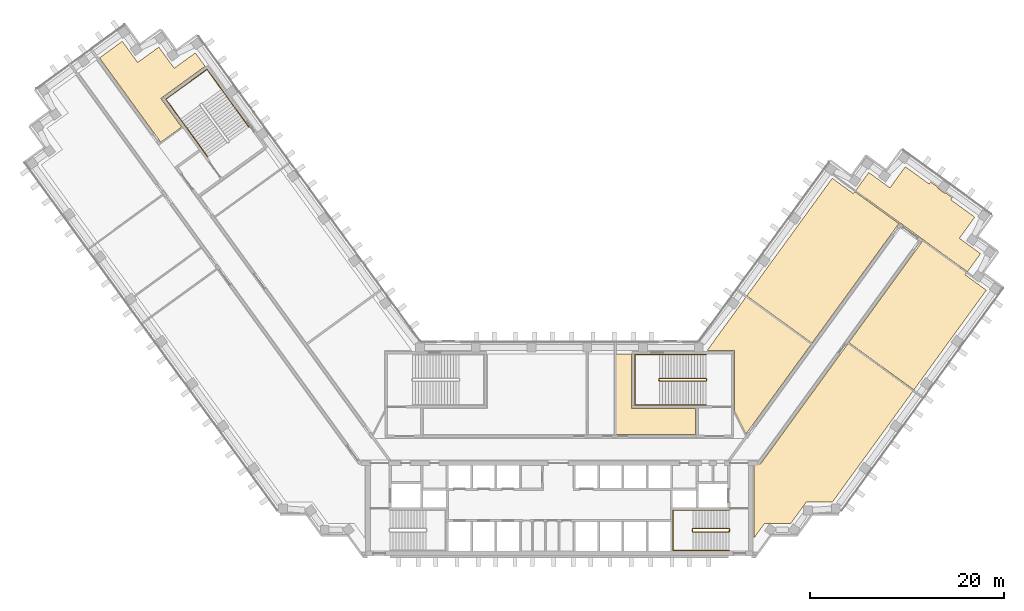
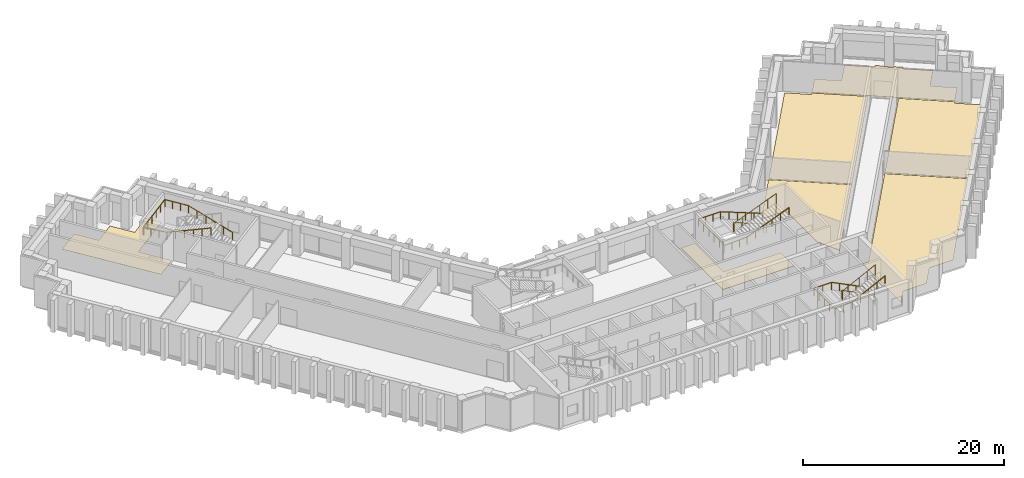
# One storey, part 12 of 12: 7 coverings, 5 railings.
"""IFC4 building model written with IfcOpenShell, lengths in metres."""

from ifc_helpers import new_model, si_unit, direction, frame, origin, origin_2d, place, context, subcontext, project, spatial, polyline, circle, outline, extrude, material, layer, layer_set, type_object, element, save


model = new_model("IFC4")

# Units and contexts
model_context = context("Model", 3, precision=1e-05, world=origin(), true_north=direction((0.0, 1.0)))
body_context = subcontext(model_context, "Body", "Model", "MODEL_VIEW")
ifc_project = project(units=[si_unit("LENGTHUNIT", "METRE"), si_unit("AREAUNIT", "SQUARE_METRE"), si_unit("VOLUMEUNIT", "CUBIC_METRE"), si_unit("PLANEANGLEUNIT", "RADIAN"), si_unit("MASSUNIT", "GRAM", prefix="KILO")], contexts=[model_context])

# Site, building, storey
site_placement = place(None, origin())
site = spatial("IfcSite", under=ifc_project, at=site_placement, CompositionType="ELEMENT")
building_placement = place(site_placement, origin())
building = spatial("IfcBuilding", under=site, at=building_placement, Name="Quipu Civic Tower", CompositionType="ELEMENT")
storey_placement = place(building_placement, frame((0.0, 0.0, 121.0)))
storey = spatial("IfcBuildingStorey", under=building, at=storey_placement, Name="L28", CompositionType="ELEMENT", Elevation=121.0)

# Coverings
ifc_material_1 = material(Name="Carpet tile on raised access floor")
ifc_layer_1 = layer(ifc_material_1, 0.02001953125)
ifc_layer_set_1 = layer_set([ifc_layer_1], Name="Carpet tile on raised access floor")
covering_type_1 = type_object("IfcCoveringType", Name="Carpet tile floor finish 20", PredefinedType="FLOORING", material=ifc_layer_set_1)
covering_1_placement = place(storey_placement, origin())
element("IfcCovering", 1, at=covering_1_placement, inside=storey, type_object=covering_type_1, Name="Carpet tile floor finish 20", PredefinedType="FLOORING", context=body_context, shape_type="SweptSolid", body=[
    extrude(outline(polyline([(-47.471923828125, 40.39794921875), (-45.116943359375, 42.10791015625), (-43.531982421875, 39.925048828125), (-41.346923828125, 41.510986328125), (-39.760009765625, 39.326904296875), (-37.574951171875, 40.9130859375), (-36.570068359375, 39.530029296875), (-41.139892578125, 36.208984375), (-38.998046875, 33.260009765625), (-41.15087890625, 31.697021484375), (-47.471923828125, 40.39794921875)])), origin(), (0.0, 0.0, 1.0), 0.02001953125),
])
covering_2_placement = place(storey_placement, origin())
element("IfcCovering", 2, at=covering_2_placement, inside=storey, type_object=covering_type_1, Name="Carpet tile floor finish 20", PredefinedType="FLOORING", context=body_context, shape_type="SweptSolid", body=[
    extrude(outline(polyline([(20.070068359375, -9.195068359375), (20.070068359375, -1.52001953125), (20.77490234375, -1.51904296875), (29.7958984375, 10.89794921875), (36.52001953125, 6.013916015625), (28.181884765625, -5.4609375), (25.48193359375, -5.4619140625), (25.2080078125, -5.840087890625), (25.205078125, -5.841064453125), (25.200927734375, -5.843017578125), (25.197021484375, -5.844970703125), (25.193115234375, -5.847900390625), (25.18896484375, -5.85205078125), (25.18603515625, -5.85498046875), (25.18310546875, -5.85888671875), (25.179931640625, -5.863037109375), (25.177978515625, -5.867919921875), (25.177001953125, -5.8720703125), (25.175048828125, -5.876953125), (25.175048828125, -5.882080078125), (25.174072265625, -5.885986328125), (23.89501953125, -7.64599609375), (21.721923828125, -7.64599609375), (21.721923828125, -7.64599609375), (21.718017578125, -7.64306640625), (21.712890625, -7.64111328125), (21.708984375, -7.638916015625), (21.7041015625, -7.637939453125), (21.698974609375, -7.636962890625), (21.694091796875, -7.635986328125), (21.68896484375, -7.636962890625), (21.68408203125, -7.636962890625), (21.679931640625, -7.637939453125), (21.675048828125, -7.639892578125), (21.669921875, -7.64111328125), (21.666015625, -7.64404296875), (21.6630859375, -7.64599609375), (21.196044921875, -7.64599609375), (20.070068359375, -9.195068359375)])), origin(), (0.0, 0.0, 1.0), 0.02001953125),
])
covering_3_placement = place(storey_placement, origin())
element("IfcCovering", 3, at=covering_3_placement, inside=storey, type_object=covering_type_1, Name="Carpet tile floor finish 20", PredefinedType="FLOORING", context=body_context, shape_type="SweptSolid", body=[
    extrude(outline(polyline([(29.87890625, 11.010986328125), (37.4990234375, 21.5), (42.0380859375, 18.201904296875), (41.89208984375, 17.9990234375), (44.074951171875, 16.4140625), (36.60302734375, 6.126953125), (29.87890625, 11.010986328125)])), origin(), (0.0, 0.0, 1.0), 0.02001953125),
])
covering_4_placement = place(storey_placement, origin())
element("IfcCovering", 4, at=covering_4_placement, inside=storey, type_object=covering_type_1, Name="Carpet tile floor finish 20", PredefinedType="FLOORING", context=body_context, shape_type="SweptSolid", body=[
    extrude(outline(polyline([(30.583984375, 26.697021484375), (31.94189453125, 28.56591796875), (34.126953125, 26.97998046875), (35.712890625, 29.1640625), (38.169921875, 27.37890625), (38.324951171875, 27.587890625), (39.044921875, 27.06396484375), (39.02197265625, 27.031982421875), (39.01904296875, 27.028076171875), (39.01708984375, 27.02294921875), (39.014892578125, 27.01904296875), (39.013916015625, 27.013916015625), (39.012939453125, 27.009033203125), (39.011962890625, 27.00390625), (39.011962890625, 27.0), (39.012939453125, 26.9951171875), (39.013916015625, 26.989990234375), (39.014892578125, 26.985107421875), (39.01708984375, 26.98095703125), (39.02001953125, 26.97607421875), (39.02197265625, 26.971923828125), (39.02490234375, 26.968994140625), (39.029052734375, 26.965087890625), (39.032958984375, 26.9619140625), (39.760986328125, 26.43310546875), (39.764892578125, 26.429931640625), (39.76904296875, 26.427978515625), (39.77392578125, 26.426025390625), (39.779052734375, 26.425048828125), (39.782958984375, 26.424072265625), (39.7880859375, 26.423095703125), (39.79296875, 26.424072265625), (39.798095703125, 26.424072265625), (39.802978515625, 26.425048828125), (39.80810546875, 26.427001953125), (39.81201171875, 26.427978515625), (39.81591796875, 26.430908203125), (39.820068359375, 26.43408203125), (39.823974609375, 26.43701171875), (39.827880859375, 26.43994140625), (39.8310546875, 26.444091796875), (39.85400390625, 26.47705078125), (40.574951171875, 25.952880859375), (40.424072265625, 25.740966796875), (42.881103515625, 23.95703125), (41.2939453125, 21.77294921875), (43.47802734375, 20.18505859375), (42.12109375, 18.31591796875), (30.583984375, 26.697021484375)])), origin(), (0.0, 0.0, 1.0), 0.02001953125),
])
ifc_material_2 = material(Name="Ceramic floor tile")
ifc_layer_2 = layer(ifc_material_2, 0.030029296875)
ifc_layer_set_2 = layer_set([ifc_layer_2], Name="Ceramic floor tile")
covering_type_2 = type_object("IfcCoveringType", Name="Ceramic tile floor finish 30", PredefinedType="FLOORING", material=ifc_layer_set_2)
covering_5_placement = place(storey_placement, origin())
element("IfcCovering", 5, at=covering_5_placement, inside=storey, type_object=covering_type_2, Name="Ceramic tile floor finish 30", PredefinedType="FLOORING", context=body_context, shape_type="SweptSolid", body=[
    extrude(outline(polyline([(19.35107421875, 15.8291015625), (28.169921875, 27.968994140625), (30.35302734375, 26.383056640625), (30.5009765625, 26.583984375), (35.0400390625, 23.2880859375), (26.073974609375, 10.946044921875), (19.35107421875, 15.8291015625)])), origin(), (0.0, 0.0, 1.0), 0.030029296875),
])
ifc_material_3 = material(Name="Sealed cement screed")
ifc_layer_3 = layer(ifc_material_3, 0.050048828125)
ifc_layer_set_3 = layer_set([ifc_layer_3], Name="Sealed cement screed")
covering_type_3 = type_object("IfcCoveringType", Name="Sealed screed floor finish 50", PredefinedType="FLOORING", material=ifc_layer_set_3)
covering_6_placement = place(storey_placement, origin())
element("IfcCovering", 6, at=covering_6_placement, inside=storey, type_object=covering_type_3, Name="Sealed screed floor finish 50", PredefinedType="FLOORING", context=body_context, shape_type="SweptSolid", body=[
    extrude(outline(polyline([(5.827880859375, 1.52001953125), (5.827880859375, 9.830078125), (7.429931640625, 9.830078125), (7.430908203125, 4.179931640625), (14.030029296875, 4.179931640625), (14.030029296875, 1.52001953125), (5.827880859375, 1.52001953125)])), origin(), (0.0, 0.0, 1.0), 0.050048828125),
])
covering_7_placement = place(storey_placement, origin())
element("IfcCovering", 7, at=covering_7_placement, inside=storey, type_object=covering_type_3, Name="Sealed screed floor finish 50", PredefinedType="FLOORING", context=body_context, shape_type="SweptSolid", body=[
    extrude(outline(polyline([(15.238037109375, 10.169921875), (19.26806640625, 15.716064453125), (25.990966796875, 10.8330078125), (19.27197265625, 1.583984375), (18.070068359375, 3.94189453125), (18.070068359375, 10.1689453125), (15.238037109375, 10.169921875)])), origin(), (0.0, 0.0, 1.0), 0.050048828125),
])

# Railings
ifc_material_4 = material(Name="Stainless steel", Category="steel")
railing_type_1 = type_object("IfcRailingType", Name="Stair guard 1100", PredefinedType="GUARDRAIL", material=ifc_material_4)
railing_1_placement = place(storey_placement, frame((17.5, -8.199951171875, 0.15380859375)))
element("IfcRailing", 8, at=railing_1_placement, inside=storey, type_object=railing_type_1, Name="Stair 2 guard", PredefinedType="GUARDRAIL", context=body_context, shape_type="SweptSolid", body=[
    extrude(circle(Radius=0.02392578125, at=origin_2d()), frame((0.0, 0.0, 1.076171875), z_axis=(-0.895751851347, 0.0, 0.444554407028), x_axis=(0.0, -1.0, 0.0)), (0.0, 0.0, 1.0), 4.15283203125),
    extrude(circle(Radius=0.02392578125, at=origin_2d()), frame((-3.719970703125, 0.0, 2.92236328125), z_axis=(-0.707106781187, -0.707106781187, 0.0), x_axis=(0.707106781187, -0.707106781187, 0.0)), (0.0, 0.0, 1.0), 0.07080078125),
    extrude(circle(Radius=0.02392578125, at=origin_2d()), frame((-3.77001953125, -0.050048828125, 2.92236328125), z_axis=(0.0, -1.0, 0.0), x_axis=(1.0, 0.0, 0.0)), (0.0, 0.0, 1.0), 0.25),
    extrude(circle(Radius=0.02392578125, at=origin_2d()), frame((-3.77001953125, -0.300048828125, 2.92236328125), z_axis=(0.295599637079, -0.295599637079, 0.908428152975), x_axis=(0.707106781187, 0.707106781187, 0.0)), (0.0, 0.0, 1.0), 0.16943359375),
    extrude(circle(Radius=0.02392578125, at=origin_2d()), frame((-3.719970703125, -0.35009765625, 3.076171875), z_axis=(0.895751851347, 0.0, 0.444554407028), x_axis=(0.0, 1.0, 0.0)), (0.0, 0.0, 1.0), 4.15283203125),
    extrude(circle(Radius=0.02392578125, at=origin_2d()), frame((0.0, -0.35009765625, 4.92236328125), z_axis=(0.012476181752, 0.074796231092, -0.997120789425), x_axis=(-0.986372223864, 0.164529134168, 0.0)), (0.0, 0.0, 1.0), 4.011474609375),
    extrude(circle(Radius=0.02392578125, at=origin_2d()), frame((0.050048828125, -0.050048828125, 0.92236328125), z_axis=(0.0, -1.0, 0.0), x_axis=(1.0, 0.0, 0.0)), (0.0, 0.0, 1.0), 0.25),
    extrude(circle(Radius=0.02099609375, at=origin_2d()), origin(), (0.0, 0.0, 1.0), 1.052001953125),
    extrude(circle(Radius=0.02099609375, at=origin_2d()), frame((-0.929931640625, 0.0, 0.46142578125)), (0.0, 0.0, 1.0), 1.052001953125),
    extrude(circle(Radius=0.02099609375, at=origin_2d()), frame((-1.85986328125, 0.0, 0.923095703125)), (0.0, 0.0, 1.0), 1.052001953125),
    extrude(circle(Radius=0.02099609375, at=origin_2d()), frame((-2.7900390625, 0.0, 1.384765625)), (0.0, 0.0, 1.0), 1.052001953125),
    extrude(circle(Radius=0.02099609375, at=origin_2d()), frame((-3.719970703125, 0.0, 1.84619140625)), (0.0, 0.0, 1.0), 1.052001953125),
    extrude(circle(Radius=0.02099609375, at=origin_2d()), frame((-3.77001953125, -0.050048828125, 1.84619140625)), (0.0, 0.0, 1.0), 1.052001953125),
    extrude(circle(Radius=0.02099609375, at=origin_2d()), frame((-3.77001953125, -0.300048828125, 1.84619140625)), (0.0, 0.0, 1.0), 1.052001953125),
    extrude(circle(Radius=0.02099609375, at=origin_2d()), frame((-3.719970703125, -0.35009765625, 2.0)), (0.0, 0.0, 1.0), 1.052001953125),
    extrude(circle(Radius=0.02099609375, at=origin_2d()), frame((-2.7900390625, -0.35009765625, 2.46142578125)), (0.0, 0.0, 1.0), 1.052001953125),
    extrude(circle(Radius=0.02099609375, at=origin_2d()), frame((-1.85986328125, -0.35009765625, 2.923095703125)), (0.0, 0.0, 1.0), 1.052001953125),
    extrude(circle(Radius=0.02099609375, at=origin_2d()), frame((-0.929931640625, -0.35009765625, 3.384765625)), (0.0, 0.0, 1.0), 1.052001953125),
    extrude(circle(Radius=0.02099609375, at=origin_2d()), frame((0.0, -0.35009765625, 3.84619140625)), (0.0, 0.0, 1.0), 1.052001953125),
    extrude(circle(Radius=0.02099609375, at=origin_2d()), frame((0.012451171875, -0.275146484375, 2.84619140625)), (0.0, 0.0, 1.0), 1.052001953125),
    extrude(circle(Radius=0.02099609375, at=origin_2d()), frame((0.02490234375, -0.2001953125, 1.84619140625)), (0.0, 0.0, 1.0), 1.052001953125),
    extrude(circle(Radius=0.02099609375, at=origin_2d()), frame((0.03759765625, -0.125, 0.84619140625)), (0.0, 0.0, 1.0), 1.052001953125),
    extrude(circle(Radius=0.02099609375, at=origin_2d()), frame((0.050048828125, -0.050048828125, -0.15380859375)), (0.0, 0.0, 1.0), 1.052001953125),
    extrude(circle(Radius=0.02099609375, at=origin_2d()), frame((0.050048828125, -0.300048828125, -0.15380859375)), (0.0, 0.0, 1.0), 1.052001953125),
])
railing_2_placement = place(storey_placement, frame((15.14990234375, 7.300048828125, 0.11767578125)))
element("IfcRailing", 9, at=railing_2_placement, inside=storey, type_object=railing_type_1, Name="Stair 4 guard", PredefinedType="GUARDRAIL", context=body_context, shape_type="SweptSolid", body=[
    extrude(circle(Radius=0.02392578125, at=origin_2d()), frame((0.0, 0.0, 1.076171875), z_axis=(-0.930970042603, 0.0, 0.365095576219), x_axis=(0.0, -1.0, 0.0)), (0.0, 0.0, 1.0), 5.15576171875),
    extrude(circle(Radius=0.02392578125, at=origin_2d()), frame((-4.7998046875, 0.0, 2.95849609375), z_axis=(-0.707106781187, -0.707106781187, 0.0), x_axis=(0.707106781187, -0.707106781187, 0.0)), (0.0, 0.0, 1.0), 0.07080078125),
    extrude(circle(Radius=0.02392578125, at=origin_2d()), frame((-4.849853515625, -0.050048828125, 2.95849609375), z_axis=(0.0, -1.0, 0.0), x_axis=(1.0, 0.0, 0.0)), (0.0, 0.0, 1.0), 0.14990234375),
    extrude(circle(Radius=0.02392578125, at=origin_2d()), frame((-4.849853515625, -0.199951171875, 2.95849609375), z_axis=(0.364463019033, -0.364463019033, 0.856932561824), x_axis=(0.707106781187, 0.707106781187, 0.0)), (0.0, 0.0, 1.0), 0.13720703125),
    extrude(circle(Radius=0.02392578125, at=origin_2d()), frame((-4.7998046875, -0.25, 3.076171875), z_axis=(0.930970042603, 0.0, 0.365095576219), x_axis=(0.0, 1.0, 0.0)), (0.0, 0.0, 1.0), 5.15576171875),
    extrude(circle(Radius=0.02392578125, at=origin_2d()), frame((0.0, -0.25, 4.95849609375), z_axis=(0.012495627992, 0.049921557685, -0.998674970829), x_axis=(-0.970072785993, 0.242814311512, 0.0)), (0.0, 0.0, 1.0), 4.00537109375),
    extrude(circle(Radius=0.02392578125, at=origin_2d()), frame((0.050048828125, -0.050048828125, 0.95849609375), z_axis=(0.0, -1.0, 0.0), x_axis=(1.0, 0.0, 0.0)), (0.0, 0.0, 1.0), 0.14990234375),
    extrude(circle(Radius=0.02099609375, at=origin_2d()), origin(), (0.0, 0.0, 1.0), 1.052001953125),
    extrude(circle(Radius=0.02099609375, at=origin_2d()), frame((-0.9599609375, 0.0, 0.37646484375)), (0.0, 0.0, 1.0), 1.052001953125),
    extrude(circle(Radius=0.02099609375, at=origin_2d()), frame((-1.919921875, 0.0, 0.7529296875)), (0.0, 0.0, 1.0), 1.052001953125),
    extrude(circle(Radius=0.02099609375, at=origin_2d()), frame((-2.8798828125, 0.0, 1.12939453125)), (0.0, 0.0, 1.0), 1.052001953125),
    extrude(circle(Radius=0.02099609375, at=origin_2d()), frame((-3.83984375, 0.0, 1.505859375)), (0.0, 0.0, 1.0), 1.052001953125),
    extrude(circle(Radius=0.02099609375, at=origin_2d()), frame((-4.7998046875, 0.0, 1.88232421875)), (0.0, 0.0, 1.0), 1.052001953125),
    extrude(circle(Radius=0.02099609375, at=origin_2d()), frame((-4.849853515625, -0.050048828125, 1.88232421875)), (0.0, 0.0, 1.0), 1.052001953125),
    extrude(circle(Radius=0.02099609375, at=origin_2d()), frame((-4.849853515625, -0.199951171875, 1.88232421875)), (0.0, 0.0, 1.0), 1.052001953125),
    extrude(circle(Radius=0.02099609375, at=origin_2d()), frame((-4.7998046875, -0.25, 2.0)), (0.0, 0.0, 1.0), 1.052001953125),
    extrude(circle(Radius=0.02099609375, at=origin_2d()), frame((-3.83984375, -0.25, 2.37646484375)), (0.0, 0.0, 1.0), 1.052001953125),
    extrude(circle(Radius=0.02099609375, at=origin_2d()), frame((-2.8798828125, -0.25, 2.7529296875)), (0.0, 0.0, 1.0), 1.052001953125),
    extrude(circle(Radius=0.02099609375, at=origin_2d()), frame((-1.919921875, -0.25, 3.12939453125)), (0.0, 0.0, 1.0), 1.052001953125),
    extrude(circle(Radius=0.02099609375, at=origin_2d()), frame((-0.9599609375, -0.25, 3.505859375)), (0.0, 0.0, 1.0), 1.052001953125),
    extrude(circle(Radius=0.02099609375, at=origin_2d()), frame((0.0, -0.25, 3.88232421875)), (0.0, 0.0, 1.0), 1.052001953125),
    extrude(circle(Radius=0.02099609375, at=origin_2d()), frame((0.012451171875, -0.199951171875, 2.88232421875)), (0.0, 0.0, 1.0), 1.052001953125),
    extrude(circle(Radius=0.02099609375, at=origin_2d()), frame((0.02490234375, -0.14990234375, 1.88232421875)), (0.0, 0.0, 1.0), 1.052001953125),
    extrude(circle(Radius=0.02099609375, at=origin_2d()), frame((0.03759765625, -0.10009765625, 0.88232421875)), (0.0, 0.0, 1.0), 1.052001953125),
    extrude(circle(Radius=0.02099609375, at=origin_2d()), frame((0.050048828125, -0.050048828125, -0.11767578125)), (0.0, 0.0, 1.0), 1.052001953125),
    extrude(circle(Radius=0.02099609375, at=origin_2d()), frame((0.050048828125, -0.199951171875, -0.11767578125)), (0.0, 0.0, 1.0), 1.052001953125),
])
ifc_material_5 = material(Name="Stainless steel", Category="steel")
railing_type_2 = type_object("IfcRailingType", Name="Stair handrail", PredefinedType="HANDRAIL", material=ifc_material_5)
railing_3_placement = place(storey_placement, frame((17.5, -6.300048828125, 0.15380859375)))
element("IfcRailing", 10, at=railing_3_placement, inside=storey, type_object=railing_type_2, Name="Stair 2 handrail", PredefinedType="HANDRAIL", context=body_context, shape_type="SweptSolid", body=[
    extrude(circle(Radius=0.02392578125, at=origin_2d()), frame((0.0, 0.0, 0.8759765625), z_axis=(-0.895751851347, 0.0, 0.444554407028), x_axis=(0.0, -1.0, 0.0)), (0.0, 0.0, 1.0), 4.15283203125),
    extrude(circle(Radius=0.02392578125, at=origin_2d()), frame((-3.719970703125, 0.0, 2.72216796875), z_axis=(-1.0, 0.0, 0.0), x_axis=(0.0, -1.0, 0.0)), (0.0, 0.0, 1.0), 2.030029296875),
    extrude(circle(Radius=0.02392578125, at=origin_2d()), frame((-5.75, 0.0, 2.72216796875), z_axis=(0.0, -1.0, 0.0), x_axis=(1.0, 0.0, 0.0)), (0.0, 0.0, 1.0), 4.14990234375),
    extrude(circle(Radius=0.02392578125, at=origin_2d()), frame((-5.75, -4.14990234375, 2.72216796875), z_axis=(0.997142003663, 0.0, 0.075550145798), x_axis=(0.0, 1.0, 0.0)), (0.0, 0.0, 1.0), 2.035888671875),
    extrude(circle(Radius=0.02392578125, at=origin_2d()), frame((-3.719970703125, -4.14990234375, 2.8759765625), z_axis=(0.895751851347, 0.0, 0.444554407028), x_axis=(0.0, 1.0, 0.0)), (0.0, 0.0, 1.0), 4.15283203125),
    extrude(circle(Radius=0.02099609375, at=origin_2d()), origin(), (0.0, 0.0, 1.0), 0.851806640625),
    extrude(circle(Radius=0.02099609375, at=origin_2d()), frame((-0.929931640625, 0.0, 0.46142578125)), (0.0, 0.0, 1.0), 0.851806640625),
    extrude(circle(Radius=0.02099609375, at=origin_2d()), frame((-1.85986328125, 0.0, 0.923095703125)), (0.0, 0.0, 1.0), 0.851806640625),
    extrude(circle(Radius=0.02099609375, at=origin_2d()), frame((-2.7900390625, 0.0, 1.384765625)), (0.0, 0.0, 1.0), 0.851806640625),
    extrude(circle(Radius=0.02099609375, at=origin_2d()), frame((-3.719970703125, 0.0, 1.84619140625)), (0.0, 0.0, 1.0), 0.851806640625),
    extrude(circle(Radius=0.02099609375, at=origin_2d()), frame((-4.73486328125, 0.0, 1.84619140625)), (0.0, 0.0, 1.0), 0.851806640625),
    extrude(circle(Radius=0.02099609375, at=origin_2d()), frame((-5.75, 0.0, 1.84619140625)), (0.0, 0.0, 1.0), 0.851806640625),
    extrude(circle(Radius=0.02099609375, at=origin_2d()), frame((-5.75, -1.03759765625, 1.84619140625)), (0.0, 0.0, 1.0), 0.851806640625),
    extrude(circle(Radius=0.02099609375, at=origin_2d()), frame((-5.75, -2.074951171875, 1.84619140625)), (0.0, 0.0, 1.0), 0.851806640625),
    extrude(circle(Radius=0.02099609375, at=origin_2d()), frame((-5.75, -3.1123046875, 1.84619140625)), (0.0, 0.0, 1.0), 0.851806640625),
    extrude(circle(Radius=0.02099609375, at=origin_2d()), frame((-5.75, -4.14990234375, 1.84619140625)), (0.0, 0.0, 1.0), 0.851806640625),
    extrude(circle(Radius=0.02099609375, at=origin_2d()), frame((-4.73486328125, -4.14990234375, 1.923095703125)), (0.0, 0.0, 1.0), 0.851806640625),
    extrude(circle(Radius=0.02099609375, at=origin_2d()), frame((-3.719970703125, -4.14990234375, 2.0)), (0.0, 0.0, 1.0), 0.851806640625),
    extrude(circle(Radius=0.02099609375, at=origin_2d()), frame((-2.7900390625, -4.14990234375, 2.46142578125)), (0.0, 0.0, 1.0), 0.851806640625),
    extrude(circle(Radius=0.02099609375, at=origin_2d()), frame((-1.85986328125, -4.14990234375, 2.923095703125)), (0.0, 0.0, 1.0), 0.851806640625),
    extrude(circle(Radius=0.02099609375, at=origin_2d()), frame((-0.929931640625, -4.14990234375, 3.384765625)), (0.0, 0.0, 1.0), 0.851806640625),
    extrude(circle(Radius=0.02099609375, at=origin_2d()), frame((0.0, -4.14990234375, 3.84619140625)), (0.0, 0.0, 1.0), 0.851806640625),
])
railing_4_placement = place(storey_placement, frame((15.14990234375, 9.800048828125, 0.11767578125)))
element("IfcRailing", 11, at=railing_4_placement, inside=storey, type_object=railing_type_2, Name="Stair 4 handrail", PredefinedType="HANDRAIL", context=body_context, shape_type="SweptSolid", body=[
    extrude(circle(Radius=0.02392578125, at=origin_2d()), frame((0.0, 0.0, 0.8759765625), z_axis=(-0.930970042603, 0.0, 0.365095576219), x_axis=(0.0, -1.0, 0.0)), (0.0, 0.0, 1.0), 5.15576171875),
    extrude(circle(Radius=0.02392578125, at=origin_2d()), frame((-4.7998046875, 0.0, 2.75830078125), z_axis=(-1.0, 0.0, 0.0), x_axis=(0.0, -1.0, 0.0)), (0.0, 0.0, 1.0), 2.550048828125),
    extrude(circle(Radius=0.02392578125, at=origin_2d()), frame((-7.349853515625, 0.0, 2.75830078125), z_axis=(0.0, -1.0, 0.0), x_axis=(1.0, 0.0, 0.0)), (0.0, 0.0, 1.0), 5.25),
    extrude(circle(Radius=0.02392578125, at=origin_2d()), frame((-7.349853515625, -5.25, 2.75830078125), z_axis=(0.998936948642, 0.0, 0.04609742549), x_axis=(0.0, 1.0, 0.0)), (0.0, 0.0, 1.0), 2.552734375),
    extrude(circle(Radius=0.02392578125, at=origin_2d()), frame((-4.7998046875, -5.25, 2.8759765625), z_axis=(0.930970042603, 0.0, 0.365095576219), x_axis=(0.0, 1.0, 0.0)), (0.0, 0.0, 1.0), 5.15576171875),
    extrude(circle(Radius=0.02099609375, at=origin_2d()), origin(), (0.0, 0.0, 1.0), 0.851806640625),
    extrude(circle(Radius=0.02099609375, at=origin_2d()), frame((-0.9599609375, 0.0, 0.37646484375)), (0.0, 0.0, 1.0), 0.851806640625),
    extrude(circle(Radius=0.02099609375, at=origin_2d()), frame((-1.919921875, 0.0, 0.7529296875)), (0.0, 0.0, 1.0), 0.851806640625),
    extrude(circle(Radius=0.02099609375, at=origin_2d()), frame((-2.8798828125, 0.0, 1.12939453125)), (0.0, 0.0, 1.0), 0.851806640625),
    extrude(circle(Radius=0.02099609375, at=origin_2d()), frame((-3.83984375, 0.0, 1.505859375)), (0.0, 0.0, 1.0), 0.851806640625),
    extrude(circle(Radius=0.02099609375, at=origin_2d()), frame((-4.7998046875, 0.0, 1.88232421875)), (0.0, 0.0, 1.0), 0.851806640625),
    extrude(circle(Radius=0.02099609375, at=origin_2d()), frame((-5.64990234375, 0.0, 1.88232421875)), (0.0, 0.0, 1.0), 0.851806640625),
    extrude(circle(Radius=0.02099609375, at=origin_2d()), frame((-6.499755859375, 0.0, 1.88232421875)), (0.0, 0.0, 1.0), 0.851806640625),
    extrude(circle(Radius=0.02099609375, at=origin_2d()), frame((-7.349853515625, 0.0, 1.88232421875)), (0.0, 0.0, 1.0), 0.851806640625),
    extrude(circle(Radius=0.02099609375, at=origin_2d()), frame((-7.349853515625, -1.050048828125, 1.88232421875)), (0.0, 0.0, 1.0), 0.851806640625),
    extrude(circle(Radius=0.02099609375, at=origin_2d()), frame((-7.349853515625, -2.10009765625, 1.88232421875)), (0.0, 0.0, 1.0), 0.851806640625),
    extrude(circle(Radius=0.02099609375, at=origin_2d()), frame((-7.349853515625, -3.14990234375, 1.88232421875)), (0.0, 0.0, 1.0), 0.851806640625),
    extrude(circle(Radius=0.02099609375, at=origin_2d()), frame((-7.349853515625, -4.199951171875, 1.88232421875)), (0.0, 0.0, 1.0), 0.851806640625),
    extrude(circle(Radius=0.02099609375, at=origin_2d()), frame((-7.349853515625, -5.25, 1.88232421875)), (0.0, 0.0, 1.0), 0.851806640625),
    extrude(circle(Radius=0.02099609375, at=origin_2d()), frame((-6.499755859375, -5.25, 1.921630859375)), (0.0, 0.0, 1.0), 0.851806640625),
    extrude(circle(Radius=0.02099609375, at=origin_2d()), frame((-5.64990234375, -5.25, 1.960693359375)), (0.0, 0.0, 1.0), 0.851806640625),
    extrude(circle(Radius=0.02099609375, at=origin_2d()), frame((-4.7998046875, -5.25, 2.0)), (0.0, 0.0, 1.0), 0.851806640625),
    extrude(circle(Radius=0.02099609375, at=origin_2d()), frame((-3.83984375, -5.25, 2.37646484375)), (0.0, 0.0, 1.0), 0.851806640625),
    extrude(circle(Radius=0.02099609375, at=origin_2d()), frame((-2.8798828125, -5.25, 2.7529296875)), (0.0, 0.0, 1.0), 0.851806640625),
    extrude(circle(Radius=0.02099609375, at=origin_2d()), frame((-1.919921875, -5.25, 3.12939453125)), (0.0, 0.0, 1.0), 0.851806640625),
    extrude(circle(Radius=0.02099609375, at=origin_2d()), frame((-0.9599609375, -5.25, 3.505859375)), (0.0, 0.0, 1.0), 0.851806640625),
    extrude(circle(Radius=0.02099609375, at=origin_2d()), frame((0.0, -5.25, 3.88232421875)), (0.0, 0.0, 1.0), 0.851806640625),
])
railing_5_placement = place(storey_placement, frame((-32.056396484375, 33.266845703125, 0.11767578125)))
element("IfcRailing", 12, at=railing_5_placement, inside=storey, type_object=railing_type_2, Name="Stair 6 handrail", PredefinedType="HANDRAIL", context=body_context, shape_type="SweptSolid", body=[
    extrude(circle(Radius=0.02392578125, at=origin_2d()), frame((0.0, 0.0, 0.8759765625), z_axis=(-0.54720100349, 0.753182689643, 0.365084781664), x_axis=(-0.809026317077, -0.587772420479, 0.0)), (0.0, 0.0, 1.0), 5.15576171875),
    extrude(circle(Radius=0.02392578125, at=origin_2d()), frame((-2.8212890625, 3.88330078125, 2.75830078125), z_axis=(-0.587767432704, 0.809029940764, 0.0), x_axis=(-0.809029940764, -0.587767432704, 0.0)), (0.0, 0.0, 1.0), 2.550048828125),
    extrude(circle(Radius=0.02392578125, at=origin_2d()), frame((-4.320068359375, 5.9462890625, 2.75830078125), z_axis=(-0.809009483706, -0.587795589702, 0.0), x_axis=(0.587795589702, -0.809009483706, 0.0)), (0.0, 0.0, 1.0), 5.25),
    extrude(circle(Radius=0.02392578125, at=origin_2d()), frame((-8.5673828125, 2.8603515625, 2.75830078125), z_axis=(0.587142558822, -0.808169835812, 0.046099155132), x_axis=(0.809029940764, 0.587767432704, 0.0)), (0.0, 0.0, 1.0), 2.552734375),
    extrude(circle(Radius=0.02392578125, at=origin_2d()), frame((-7.068603515625, 0.79736328125, 2.8759765625), z_axis=(0.54720100349, -0.753182689643, 0.365084781664), x_axis=(0.809026317077, 0.587772420479, 0.0)), (0.0, 0.0, 1.0), 5.15576171875),
    extrude(circle(Radius=0.02099609375, at=origin_2d()), origin(), (0.0, 0.0, 1.0), 0.851806640625),
    extrude(circle(Radius=0.02099609375, at=origin_2d()), frame((-0.564208984375, 0.776611328125, 0.37646484375)), (0.0, 0.0, 1.0), 0.851806640625),
    extrude(circle(Radius=0.02099609375, at=origin_2d()), frame((-1.12841796875, 1.55322265625, 0.7529296875)), (0.0, 0.0, 1.0), 0.851806640625),
    extrude(circle(Radius=0.02099609375, at=origin_2d()), frame((-1.69287109375, 2.330078125, 1.12939453125)), (0.0, 0.0, 1.0), 0.851806640625),
    extrude(circle(Radius=0.02099609375, at=origin_2d()), frame((-2.257080078125, 3.106689453125, 1.505859375)), (0.0, 0.0, 1.0), 0.851806640625),
    extrude(circle(Radius=0.02099609375, at=origin_2d()), frame((-2.8212890625, 3.88330078125, 1.88232421875)), (0.0, 0.0, 1.0), 0.851806640625),
    extrude(circle(Radius=0.02099609375, at=origin_2d()), frame((-3.32080078125, 4.571044921875, 1.88232421875)), (0.0, 0.0, 1.0), 0.851806640625),
    extrude(circle(Radius=0.02099609375, at=origin_2d()), frame((-3.820556640625, 5.258544921875, 1.88232421875)), (0.0, 0.0, 1.0), 0.851806640625),
    extrude(circle(Radius=0.02099609375, at=origin_2d()), frame((-4.320068359375, 5.9462890625, 1.88232421875)), (0.0, 0.0, 1.0), 0.851806640625),
    extrude(circle(Radius=0.02099609375, at=origin_2d()), frame((-5.16943359375, 5.3291015625, 1.88232421875)), (0.0, 0.0, 1.0), 0.851806640625),
    extrude(circle(Radius=0.02099609375, at=origin_2d()), frame((-6.01904296875, 4.7119140625, 1.88232421875)), (0.0, 0.0, 1.0), 0.851806640625),
    extrude(circle(Radius=0.02099609375, at=origin_2d()), frame((-6.868408203125, 4.0947265625, 1.88232421875)), (0.0, 0.0, 1.0), 0.851806640625),
    extrude(circle(Radius=0.02099609375, at=origin_2d()), frame((-7.718017578125, 3.4775390625, 1.88232421875)), (0.0, 0.0, 1.0), 0.851806640625),
    extrude(circle(Radius=0.02099609375, at=origin_2d()), frame((-8.5673828125, 2.8603515625, 1.88232421875)), (0.0, 0.0, 1.0), 0.851806640625),
    extrude(circle(Radius=0.02099609375, at=origin_2d()), frame((-8.06787109375, 2.172607421875, 1.921630859375)), (0.0, 0.0, 1.0), 0.851806640625),
    extrude(circle(Radius=0.02099609375, at=origin_2d()), frame((-7.568115234375, 1.485107421875, 1.960693359375)), (0.0, 0.0, 1.0), 0.851806640625),
    extrude(circle(Radius=0.02099609375, at=origin_2d()), frame((-7.068603515625, 0.79736328125, 2.0)), (0.0, 0.0, 1.0), 0.851806640625),
    extrude(circle(Radius=0.02099609375, at=origin_2d()), frame((-6.50439453125, 0.020751953125, 2.37646484375)), (0.0, 0.0, 1.0), 0.851806640625),
    extrude(circle(Radius=0.02099609375, at=origin_2d()), frame((-5.940185546875, -0.755859375, 2.7529296875)), (0.0, 0.0, 1.0), 0.851806640625),
    extrude(circle(Radius=0.02099609375, at=origin_2d()), frame((-5.375732421875, -1.53271484375, 3.12939453125)), (0.0, 0.0, 1.0), 0.851806640625),
    extrude(circle(Radius=0.02099609375, at=origin_2d()), frame((-4.8115234375, -2.309326171875, 3.505859375)), (0.0, 0.0, 1.0), 0.851806640625),
    extrude(circle(Radius=0.02099609375, at=origin_2d()), frame((-4.247314453125, -3.0859375, 3.88232421875)), (0.0, 0.0, 1.0), 0.851806640625),
])

save(model, "model.ifc")
